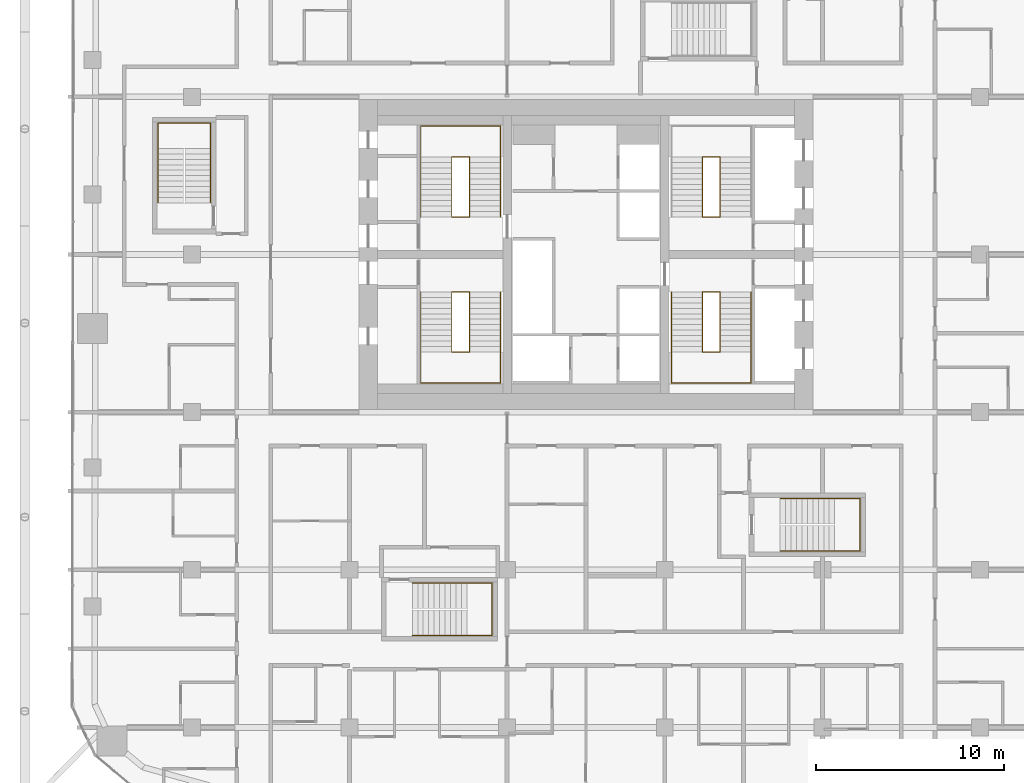
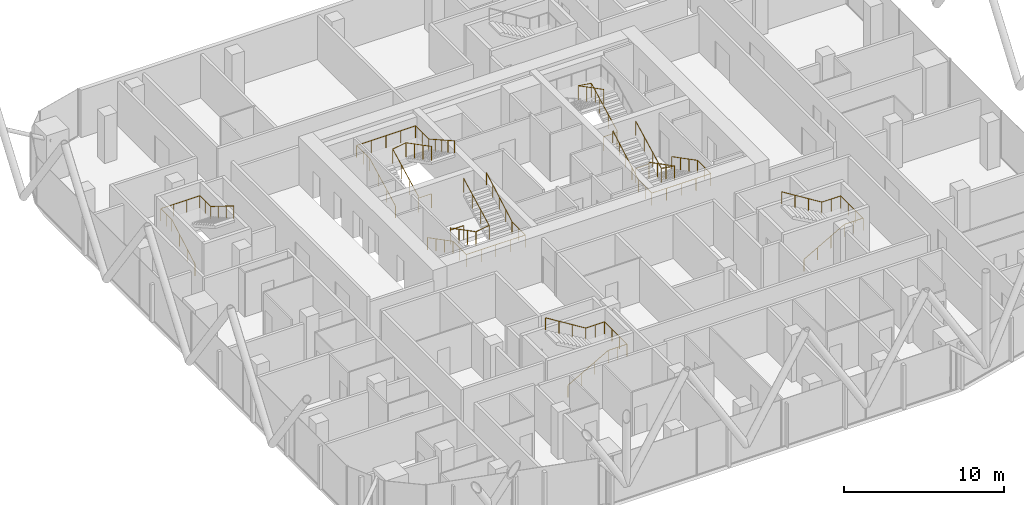
# One storey, part 32 of 33: 10 railings.
"""IFC4 building model written with IfcOpenShell, lengths in metres."""

from ifc_helpers import new_model, si_unit, direction, frame, origin, origin_2d, place, context, subcontext, project, spatial, circle, extrude, material, type_object, element, save


model = new_model("IFC4")

# Units and contexts
model_context = context("Model", 3, precision=1e-05, world=origin(), true_north=direction((0.0, 1.0)))
body_context = subcontext(model_context, "Body", "Model", "MODEL_VIEW")
ifc_project = project(units=[si_unit("LENGTHUNIT", "METRE"), si_unit("AREAUNIT", "SQUARE_METRE"), si_unit("VOLUMEUNIT", "CUBIC_METRE"), si_unit("PLANEANGLEUNIT", "RADIAN"), si_unit("MASSUNIT", "GRAM", prefix="KILO")], contexts=[model_context])

# Site, building, storey
site_placement = place(None, origin())
site = spatial("IfcSite", under=ifc_project, at=site_placement, CompositionType="ELEMENT")
building_placement = place(site_placement, origin())
building = spatial("IfcBuilding", under=site, at=building_placement, Name="Marenta Gate Hotel Tower", CompositionType="ELEMENT")
storey_placement = place(building_placement, frame((0.0, 0.0, 151.699951171875)))
storey = spatial("IfcBuildingStorey", under=building, at=storey_placement, Name="L35", CompositionType="ELEMENT", Elevation=151.699951171875)

# Railings
ifc_material_1 = material(Name="Stainless steel", Category="steel")
railing_type_1 = type_object("IfcRailingType", Name="Core stair handrail 950", PredefinedType="HANDRAIL", material=ifc_material_1)
railing_1_placement = place(storey_placement, frame((-8.800048828125, 6.39990234375, 0.150146484375)))
element("IfcRailing", 1, at=railing_1_placement, inside=storey, type_object=railing_type_1, Name="HR-950 L35-KR-ST1-1", PredefinedType="HANDRAIL", context=body_context, shape_type="SweptSolid", body=[
    extrude(circle(Radius=0.02392578125, at=origin_2d()), frame((0.0, 0.0, 0.92578125), z_axis=(0.0, -0.888225295554, 0.459408123936), x_axis=(1.0, 0.0, 0.0)), (0.0, 0.0, 1.0), 3.59130859375),
    extrude(circle(Radius=0.02392578125, at=origin_2d()), frame((0.0, -3.18994140625, 2.57568359375), z_axis=(0.0, -1.0, 0.0), x_axis=(1.0, 0.0, 0.0)), (0.0, 0.0, 1.0), 1.659912109375),
    extrude(circle(Radius=0.02392578125, at=origin_2d()), frame((0.0, -4.849853515625, 2.57568359375), z_axis=(1.0, 0.0, 0.0), x_axis=(0.0, 1.0, 0.0)), (0.0, 0.0, 1.0), 4.25),
    extrude(circle(Radius=0.02392578125, at=origin_2d()), frame((4.25, -4.849853515625, 2.57568359375), z_axis=(0.0, 1.0, 0.0), x_axis=(-1.0, 0.0, 0.0)), (0.0, 0.0, 1.0), 1.659912109375),
    extrude(circle(Radius=0.02392578125, at=origin_2d()), frame((4.25, -3.18994140625, 2.57568359375), z_axis=(0.0, 0.87090897868, 0.491444351738), x_axis=(-1.0, 0.0, 0.0)), (0.0, 0.0, 1.0), 3.662841796875),
    extrude(circle(Radius=0.02099609375, at=origin_2d()), origin(), (0.0, 0.0, 1.0), 0.90185546875),
    extrude(circle(Radius=0.02099609375, at=origin_2d()), frame((0.0, -1.063232421875, 0.550048828125)), (0.0, 0.0, 1.0), 0.90185546875),
    extrude(circle(Radius=0.02099609375, at=origin_2d()), frame((0.0, -2.126708984375, 1.099853515625)), (0.0, 0.0, 1.0), 0.90185546875),
    extrude(circle(Radius=0.02099609375, at=origin_2d()), frame((0.0, -3.18994140625, 1.64990234375)), (0.0, 0.0, 1.0), 0.90185546875),
    extrude(circle(Radius=0.02099609375, at=origin_2d()), frame((0.0, -4.02001953125, 1.64990234375)), (0.0, 0.0, 1.0), 0.90185546875),
    extrude(circle(Radius=0.02099609375, at=origin_2d()), frame((0.0, -4.849853515625, 1.64990234375)), (0.0, 0.0, 1.0), 0.90185546875),
    extrude(circle(Radius=0.02099609375, at=origin_2d()), frame((1.0625, -4.849853515625, 1.64990234375)), (0.0, 0.0, 1.0), 0.90185546875),
    extrude(circle(Radius=0.02099609375, at=origin_2d()), frame((2.125, -4.849853515625, 1.64990234375)), (0.0, 0.0, 1.0), 0.90185546875),
    extrude(circle(Radius=0.02099609375, at=origin_2d()), frame((3.1875, -4.849853515625, 1.64990234375)), (0.0, 0.0, 1.0), 0.90185546875),
    extrude(circle(Radius=0.02099609375, at=origin_2d()), frame((4.25, -4.849853515625, 1.64990234375)), (0.0, 0.0, 1.0), 0.90185546875),
    extrude(circle(Radius=0.02099609375, at=origin_2d()), frame((4.25, -4.02001953125, 1.64990234375)), (0.0, 0.0, 1.0), 0.90185546875),
    extrude(circle(Radius=0.02099609375, at=origin_2d()), frame((4.25, -3.18994140625, 1.64990234375)), (0.0, 0.0, 1.0), 0.90185546875),
    extrude(circle(Radius=0.02099609375, at=origin_2d()), frame((4.25, -2.392578125, 2.099853515625)), (0.0, 0.0, 1.0), 0.90185546875),
    extrude(circle(Radius=0.02099609375, at=origin_2d()), frame((4.25, -1.594970703125, 2.5498046875)), (0.0, 0.0, 1.0), 0.90185546875),
    extrude(circle(Radius=0.02099609375, at=origin_2d()), frame((4.25, -0.79736328125, 3.0)), (0.0, 0.0, 1.0), 0.90185546875),
    extrude(circle(Radius=0.02099609375, at=origin_2d()), frame((4.25, 0.0, 3.449951171875)), (0.0, 0.0, 1.0), 0.90185546875),
])
railing_2_placement = place(storey_placement, frame((-8.800048828125, 10.39990234375, 0.150146484375)))
element("IfcRailing", 2, at=railing_2_placement, inside=storey, type_object=railing_type_1, Name="HR-950 L35-KR-ST2-1", PredefinedType="HANDRAIL", context=body_context, shape_type="SweptSolid", body=[
    extrude(circle(Radius=0.02392578125, at=origin_2d()), frame((0.0, 0.0, 0.92578125), z_axis=(0.0, 0.888239641807, 0.459380385653), x_axis=(-1.0, 0.0, 0.0)), (0.0, 0.0, 1.0), 3.591552734375),
    extrude(circle(Radius=0.02392578125, at=origin_2d()), frame((0.0, 3.190185546875, 2.57568359375), z_axis=(0.0, 1.0, 0.0), x_axis=(-1.0, 0.0, 0.0)), (0.0, 0.0, 1.0), 1.659912109375),
    extrude(circle(Radius=0.02392578125, at=origin_2d()), frame((0.0, 4.85009765625, 2.57568359375), z_axis=(1.0, 0.0, 0.0), x_axis=(0.0, 1.0, 0.0)), (0.0, 0.0, 1.0), 4.25),
    extrude(circle(Radius=0.02392578125, at=origin_2d()), frame((4.25, 4.85009765625, 2.57568359375), z_axis=(0.0, -1.0, 0.0), x_axis=(1.0, 0.0, 0.0)), (0.0, 0.0, 1.0), 1.659912109375),
    extrude(circle(Radius=0.02392578125, at=origin_2d()), frame((4.25, 3.190185546875, 2.57568359375), z_axis=(0.0, -0.870925075533, 0.491415824742), x_axis=(1.0, 0.0, 0.0)), (0.0, 0.0, 1.0), 3.6630859375),
    extrude(circle(Radius=0.02099609375, at=origin_2d()), origin(), (0.0, 0.0, 1.0), 0.90185546875),
    extrude(circle(Radius=0.02099609375, at=origin_2d()), frame((0.0, 1.0634765625, 0.550048828125)), (0.0, 0.0, 1.0), 0.90185546875),
    extrude(circle(Radius=0.02099609375, at=origin_2d()), frame((0.0, 2.126708984375, 1.099853515625)), (0.0, 0.0, 1.0), 0.90185546875),
    extrude(circle(Radius=0.02099609375, at=origin_2d()), frame((0.0, 3.190185546875, 1.64990234375)), (0.0, 0.0, 1.0), 0.90185546875),
    extrude(circle(Radius=0.02099609375, at=origin_2d()), frame((0.0, 4.02001953125, 1.64990234375)), (0.0, 0.0, 1.0), 0.90185546875),
    extrude(circle(Radius=0.02099609375, at=origin_2d()), frame((0.0, 4.85009765625, 1.64990234375)), (0.0, 0.0, 1.0), 0.90185546875),
    extrude(circle(Radius=0.02099609375, at=origin_2d()), frame((1.0625, 4.85009765625, 1.64990234375)), (0.0, 0.0, 1.0), 0.90185546875),
    extrude(circle(Radius=0.02099609375, at=origin_2d()), frame((2.125, 4.85009765625, 1.64990234375)), (0.0, 0.0, 1.0), 0.90185546875),
    extrude(circle(Radius=0.02099609375, at=origin_2d()), frame((3.1875, 4.85009765625, 1.64990234375)), (0.0, 0.0, 1.0), 0.90185546875),
    extrude(circle(Radius=0.02099609375, at=origin_2d()), frame((4.25, 4.85009765625, 1.64990234375)), (0.0, 0.0, 1.0), 0.90185546875),
    extrude(circle(Radius=0.02099609375, at=origin_2d()), frame((4.25, 4.02001953125, 1.64990234375)), (0.0, 0.0, 1.0), 0.90185546875),
    extrude(circle(Radius=0.02099609375, at=origin_2d()), frame((4.25, 3.190185546875, 1.64990234375)), (0.0, 0.0, 1.0), 0.90185546875),
    extrude(circle(Radius=0.02099609375, at=origin_2d()), frame((4.25, 2.392578125, 2.099853515625)), (0.0, 0.0, 1.0), 0.90185546875),
    extrude(circle(Radius=0.02099609375, at=origin_2d()), frame((4.25, 1.59521484375, 2.5498046875)), (0.0, 0.0, 1.0), 0.90185546875),
    extrude(circle(Radius=0.02099609375, at=origin_2d()), frame((4.25, 0.797607421875, 3.0)), (0.0, 0.0, 1.0), 0.90185546875),
    extrude(circle(Radius=0.02099609375, at=origin_2d()), frame((4.25, 0.0, 3.449951171875)), (0.0, 0.0, 1.0), 0.90185546875),
])
railing_3_placement = place(storey_placement, frame((8.800048828125, 6.39990234375, 0.150146484375)))
element("IfcRailing", 3, at=railing_3_placement, inside=storey, type_object=railing_type_1, Name="HR-950 L35-KR-ST3-1", PredefinedType="HANDRAIL", context=body_context, shape_type="SweptSolid", body=[
    extrude(circle(Radius=0.02392578125, at=origin_2d()), frame((0.0, 0.0, 0.92578125), z_axis=(0.0, -0.888225295554, 0.459408123936), x_axis=(1.0, 0.0, 0.0)), (0.0, 0.0, 1.0), 3.59130859375),
    extrude(circle(Radius=0.02392578125, at=origin_2d()), frame((0.0, -3.18994140625, 2.57568359375), z_axis=(0.0, -1.0, 0.0), x_axis=(1.0, 0.0, 0.0)), (0.0, 0.0, 1.0), 1.659912109375),
    extrude(circle(Radius=0.02392578125, at=origin_2d()), frame((0.0, -4.849853515625, 2.57568359375), z_axis=(-1.0, 0.0, 0.0), x_axis=(0.0, -1.0, 0.0)), (0.0, 0.0, 1.0), 4.25),
    extrude(circle(Radius=0.02392578125, at=origin_2d()), frame((-4.25, -4.849853515625, 2.57568359375), z_axis=(0.0, 1.0, 0.0), x_axis=(-1.0, 0.0, 0.0)), (0.0, 0.0, 1.0), 1.659912109375),
    extrude(circle(Radius=0.02392578125, at=origin_2d()), frame((-4.25, -3.18994140625, 2.57568359375), z_axis=(0.0, 0.87090897868, 0.491444351738), x_axis=(-1.0, 0.0, 0.0)), (0.0, 0.0, 1.0), 3.662841796875),
    extrude(circle(Radius=0.02099609375, at=origin_2d()), origin(), (0.0, 0.0, 1.0), 0.90185546875),
    extrude(circle(Radius=0.02099609375, at=origin_2d()), frame((0.0, -1.063232421875, 0.550048828125)), (0.0, 0.0, 1.0), 0.90185546875),
    extrude(circle(Radius=0.02099609375, at=origin_2d()), frame((0.0, -2.126708984375, 1.099853515625)), (0.0, 0.0, 1.0), 0.90185546875),
    extrude(circle(Radius=0.02099609375, at=origin_2d()), frame((0.0, -3.18994140625, 1.64990234375)), (0.0, 0.0, 1.0), 0.90185546875),
    extrude(circle(Radius=0.02099609375, at=origin_2d()), frame((0.0, -4.02001953125, 1.64990234375)), (0.0, 0.0, 1.0), 0.90185546875),
    extrude(circle(Radius=0.02099609375, at=origin_2d()), frame((0.0, -4.849853515625, 1.64990234375)), (0.0, 0.0, 1.0), 0.90185546875),
    extrude(circle(Radius=0.02099609375, at=origin_2d()), frame((-1.0625, -4.849853515625, 1.64990234375)), (0.0, 0.0, 1.0), 0.90185546875),
    extrude(circle(Radius=0.02099609375, at=origin_2d()), frame((-2.125, -4.849853515625, 1.64990234375)), (0.0, 0.0, 1.0), 0.90185546875),
    extrude(circle(Radius=0.02099609375, at=origin_2d()), frame((-3.1875, -4.849853515625, 1.64990234375)), (0.0, 0.0, 1.0), 0.90185546875),
    extrude(circle(Radius=0.02099609375, at=origin_2d()), frame((-4.25, -4.849853515625, 1.64990234375)), (0.0, 0.0, 1.0), 0.90185546875),
    extrude(circle(Radius=0.02099609375, at=origin_2d()), frame((-4.25, -4.02001953125, 1.64990234375)), (0.0, 0.0, 1.0), 0.90185546875),
    extrude(circle(Radius=0.02099609375, at=origin_2d()), frame((-4.25, -3.18994140625, 1.64990234375)), (0.0, 0.0, 1.0), 0.90185546875),
    extrude(circle(Radius=0.02099609375, at=origin_2d()), frame((-4.25, -2.392578125, 2.099853515625)), (0.0, 0.0, 1.0), 0.90185546875),
    extrude(circle(Radius=0.02099609375, at=origin_2d()), frame((-4.25, -1.594970703125, 2.5498046875)), (0.0, 0.0, 1.0), 0.90185546875),
    extrude(circle(Radius=0.02099609375, at=origin_2d()), frame((-4.25, -0.79736328125, 3.0)), (0.0, 0.0, 1.0), 0.90185546875),
    extrude(circle(Radius=0.02099609375, at=origin_2d()), frame((-4.25, 0.0, 3.449951171875)), (0.0, 0.0, 1.0), 0.90185546875),
])
railing_4_placement = place(storey_placement, frame((-22.800048828125, 11.14990234375, 0.16357421875)))
element("IfcRailing", 4, at=railing_4_placement, inside=storey, type_object=railing_type_1, Name="HR-950 L35-RS-Z1-3-KR-1", PredefinedType="HANDRAIL", context=body_context, shape_type="SweptSolid", body=[
    extrude(circle(Radius=0.02392578125, at=origin_2d()), frame((0.0, 0.0, 0.92578125), z_axis=(0.0, 0.870914908162, 0.491433843708), x_axis=(-1.0, 0.0, 0.0)), (0.0, 0.0, 1.0), 3.330078125),
    extrude(circle(Radius=0.02392578125, at=origin_2d()), frame((0.0, 2.900146484375, 2.5625), z_axis=(0.0, 1.0, 0.0), x_axis=(-1.0, 0.0, 0.0)), (0.0, 0.0, 1.0), 1.349853515625),
    extrude(circle(Radius=0.02392578125, at=origin_2d()), frame((0.0, 4.25, 2.5625), z_axis=(1.0, 0.0, 0.0), x_axis=(0.0, 1.0, 0.0)), (0.0, 0.0, 1.0), 2.800048828125),
    extrude(circle(Radius=0.02392578125, at=origin_2d()), frame((2.800048828125, 4.25, 2.5625), z_axis=(0.0, -1.0, 0.0), x_axis=(1.0, 0.0, 0.0)), (0.0, 0.0, 1.0), 1.349853515625),
    extrude(circle(Radius=0.02392578125, at=origin_2d()), frame((2.800048828125, 2.900146484375, 2.5625), z_axis=(0.0, -0.849645691689, 0.527353959494), x_axis=(1.0, 0.0, 0.0)), (0.0, 0.0, 1.0), 3.413330078125),
    extrude(circle(Radius=0.02099609375, at=origin_2d()), origin(), (0.0, 0.0, 1.0), 0.90185546875),
    extrude(circle(Radius=0.02099609375, at=origin_2d()), frame((0.0, 0.966796875, 0.54541015625)), (0.0, 0.0, 1.0), 0.90185546875),
    extrude(circle(Radius=0.02099609375, at=origin_2d()), frame((0.0, 1.933349609375, 1.091064453125)), (0.0, 0.0, 1.0), 0.90185546875),
    extrude(circle(Radius=0.02099609375, at=origin_2d()), frame((0.0, 2.900146484375, 1.636474609375)), (0.0, 0.0, 1.0), 0.90185546875),
    extrude(circle(Radius=0.02099609375, at=origin_2d()), frame((0.0, 3.5751953125, 1.636474609375)), (0.0, 0.0, 1.0), 0.90185546875),
    extrude(circle(Radius=0.02099609375, at=origin_2d()), frame((0.0, 4.25, 1.636474609375)), (0.0, 0.0, 1.0), 0.90185546875),
    extrude(circle(Radius=0.02099609375, at=origin_2d()), frame((0.933349609375, 4.25, 1.636474609375)), (0.0, 0.0, 1.0), 0.90185546875),
    extrude(circle(Radius=0.02099609375, at=origin_2d()), frame((1.86669921875, 4.25, 1.636474609375)), (0.0, 0.0, 1.0), 0.90185546875),
    extrude(circle(Radius=0.02099609375, at=origin_2d()), frame((2.800048828125, 4.25, 1.636474609375)), (0.0, 0.0, 1.0), 0.90185546875),
    extrude(circle(Radius=0.02099609375, at=origin_2d()), frame((2.800048828125, 3.5751953125, 1.636474609375)), (0.0, 0.0, 1.0), 0.90185546875),
    extrude(circle(Radius=0.02099609375, at=origin_2d()), frame((2.800048828125, 2.900146484375, 1.636474609375)), (0.0, 0.0, 1.0), 0.90185546875),
    extrude(circle(Radius=0.02099609375, at=origin_2d()), frame((2.800048828125, 1.933349609375, 2.236572265625)), (0.0, 0.0, 1.0), 0.90185546875),
    extrude(circle(Radius=0.02099609375, at=origin_2d()), frame((2.800048828125, 0.966796875, 2.83642578125)), (0.0, 0.0, 1.0), 0.90185546875),
    extrude(circle(Radius=0.02099609375, at=origin_2d()), frame((2.800048828125, 0.0, 3.4365234375)), (0.0, 0.0, 1.0), 0.90185546875),
])
railing_5_placement = place(storey_placement, frame((-9.25, -11.89990234375, 0.16357421875)))
element("IfcRailing", 5, at=railing_5_placement, inside=storey, type_object=railing_type_1, Name="HR-950 L35-RS-Z2-1-KR-1", PredefinedType="HANDRAIL", context=body_context, shape_type="SweptSolid", body=[
    extrude(circle(Radius=0.02392578125, at=origin_2d()), frame((0.0, 0.0, 0.92578125), z_axis=(0.870897200241, 0.0, 0.491465224214), x_axis=(0.0, 1.0, 0.0)), (0.0, 0.0, 1.0), 3.329833984375),
    extrude(circle(Radius=0.02392578125, at=origin_2d()), frame((2.89990234375, 0.0, 2.5625), z_axis=(1.0, 0.0, 0.0), x_axis=(0.0, 1.0, 0.0)), (0.0, 0.0, 1.0), 1.35009765625),
    extrude(circle(Radius=0.02392578125, at=origin_2d()), frame((4.25, 0.0, 2.5625), z_axis=(0.0, 1.0, 0.0), x_axis=(-1.0, 0.0, 0.0)), (0.0, 0.0, 1.0), 2.7998046875),
    extrude(circle(Radius=0.02392578125, at=origin_2d()), frame((4.25, 2.7998046875, 2.5625), z_axis=(-1.0, 0.0, 0.0), x_axis=(0.0, -1.0, 0.0)), (0.0, 0.0, 1.0), 1.35009765625),
    extrude(circle(Radius=0.02392578125, at=origin_2d()), frame((2.89990234375, 2.7998046875, 2.5625), z_axis=(-0.849625798611, 0.0, 0.527386008853), x_axis=(0.0, -1.0, 0.0)), (0.0, 0.0, 1.0), 3.4130859375),
    extrude(circle(Radius=0.02099609375, at=origin_2d()), origin(), (0.0, 0.0, 1.0), 0.90185546875),
    extrude(circle(Radius=0.02099609375, at=origin_2d()), frame((0.966552734375, 0.0, 0.54541015625)), (0.0, 0.0, 1.0), 0.90185546875),
    extrude(circle(Radius=0.02099609375, at=origin_2d()), frame((1.933349609375, 0.0, 1.091064453125)), (0.0, 0.0, 1.0), 0.90185546875),
    extrude(circle(Radius=0.02099609375, at=origin_2d()), frame((2.89990234375, 0.0, 1.636474609375)), (0.0, 0.0, 1.0), 0.90185546875),
    extrude(circle(Radius=0.02099609375, at=origin_2d()), frame((3.574951171875, 0.0, 1.636474609375)), (0.0, 0.0, 1.0), 0.90185546875),
    extrude(circle(Radius=0.02099609375, at=origin_2d()), frame((4.25, 0.0, 1.636474609375)), (0.0, 0.0, 1.0), 0.90185546875),
    extrude(circle(Radius=0.02099609375, at=origin_2d()), frame((4.25, 0.933349609375, 1.636474609375)), (0.0, 0.0, 1.0), 0.90185546875),
    extrude(circle(Radius=0.02099609375, at=origin_2d()), frame((4.25, 1.866455078125, 1.636474609375)), (0.0, 0.0, 1.0), 0.90185546875),
    extrude(circle(Radius=0.02099609375, at=origin_2d()), frame((4.25, 2.7998046875, 1.636474609375)), (0.0, 0.0, 1.0), 0.90185546875),
    extrude(circle(Radius=0.02099609375, at=origin_2d()), frame((3.574951171875, 2.7998046875, 1.636474609375)), (0.0, 0.0, 1.0), 0.90185546875),
    extrude(circle(Radius=0.02099609375, at=origin_2d()), frame((2.89990234375, 2.7998046875, 1.636474609375)), (0.0, 0.0, 1.0), 0.90185546875),
    extrude(circle(Radius=0.02099609375, at=origin_2d()), frame((1.933349609375, 2.7998046875, 2.236572265625)), (0.0, 0.0, 1.0), 0.90185546875),
    extrude(circle(Radius=0.02099609375, at=origin_2d()), frame((0.966552734375, 2.7998046875, 2.83642578125)), (0.0, 0.0, 1.0), 0.90185546875),
    extrude(circle(Radius=0.02099609375, at=origin_2d()), frame((0.0, 2.7998046875, 3.4365234375)), (0.0, 0.0, 1.0), 0.90185546875),
])
railing_6_placement = place(storey_placement, frame((10.35009765625, -7.39990234375, 0.16357421875)))
element("IfcRailing", 6, at=railing_6_placement, inside=storey, type_object=railing_type_1, Name="HR-950 L35-RS-Z2-2-KR-1", PredefinedType="HANDRAIL", context=body_context, shape_type="SweptSolid", body=[
    extrude(circle(Radius=0.02392578125, at=origin_2d()), frame((0.0, 0.0, 0.92578125), z_axis=(0.870897200241, 0.0, 0.491465224214), x_axis=(0.0, 1.0, 0.0)), (0.0, 0.0, 1.0), 3.329833984375),
    extrude(circle(Radius=0.02392578125, at=origin_2d()), frame((2.89990234375, 0.0, 2.5625), z_axis=(1.0, 0.0, 0.0), x_axis=(0.0, 1.0, 0.0)), (0.0, 0.0, 1.0), 1.35009765625),
    extrude(circle(Radius=0.02392578125, at=origin_2d()), frame((4.25, 0.0, 2.5625), z_axis=(0.0, 1.0, 0.0), x_axis=(-1.0, 0.0, 0.0)), (0.0, 0.0, 1.0), 2.7998046875),
    extrude(circle(Radius=0.02392578125, at=origin_2d()), frame((4.25, 2.7998046875, 2.5625), z_axis=(-1.0, 0.0, 0.0), x_axis=(0.0, -1.0, 0.0)), (0.0, 0.0, 1.0), 1.35009765625),
    extrude(circle(Radius=0.02392578125, at=origin_2d()), frame((2.89990234375, 2.7998046875, 2.5625), z_axis=(-0.849625798611, 0.0, 0.527386008853), x_axis=(0.0, -1.0, 0.0)), (0.0, 0.0, 1.0), 3.4130859375),
    extrude(circle(Radius=0.02099609375, at=origin_2d()), origin(), (0.0, 0.0, 1.0), 0.90185546875),
    extrude(circle(Radius=0.02099609375, at=origin_2d()), frame((0.966552734375, 0.0, 0.54541015625)), (0.0, 0.0, 1.0), 0.90185546875),
    extrude(circle(Radius=0.02099609375, at=origin_2d()), frame((1.933349609375, 0.0, 1.091064453125)), (0.0, 0.0, 1.0), 0.90185546875),
    extrude(circle(Radius=0.02099609375, at=origin_2d()), frame((2.89990234375, 0.0, 1.636474609375)), (0.0, 0.0, 1.0), 0.90185546875),
    extrude(circle(Radius=0.02099609375, at=origin_2d()), frame((3.574951171875, 0.0, 1.636474609375)), (0.0, 0.0, 1.0), 0.90185546875),
    extrude(circle(Radius=0.02099609375, at=origin_2d()), frame((4.25, 0.0, 1.636474609375)), (0.0, 0.0, 1.0), 0.90185546875),
    extrude(circle(Radius=0.02099609375, at=origin_2d()), frame((4.25, 0.933349609375, 1.636474609375)), (0.0, 0.0, 1.0), 0.90185546875),
    extrude(circle(Radius=0.02099609375, at=origin_2d()), frame((4.25, 1.866455078125, 1.636474609375)), (0.0, 0.0, 1.0), 0.90185546875),
    extrude(circle(Radius=0.02099609375, at=origin_2d()), frame((4.25, 2.7998046875, 1.636474609375)), (0.0, 0.0, 1.0), 0.90185546875),
    extrude(circle(Radius=0.02099609375, at=origin_2d()), frame((3.574951171875, 2.7998046875, 1.636474609375)), (0.0, 0.0, 1.0), 0.90185546875),
    extrude(circle(Radius=0.02099609375, at=origin_2d()), frame((2.89990234375, 2.7998046875, 1.636474609375)), (0.0, 0.0, 1.0), 0.90185546875),
    extrude(circle(Radius=0.02099609375, at=origin_2d()), frame((1.933349609375, 2.7998046875, 2.236572265625)), (0.0, 0.0, 1.0), 0.90185546875),
    extrude(circle(Radius=0.02099609375, at=origin_2d()), frame((0.966552734375, 2.7998046875, 2.83642578125)), (0.0, 0.0, 1.0), 0.90185546875),
    extrude(circle(Radius=0.02099609375, at=origin_2d()), frame((0.0, 2.7998046875, 3.4365234375)), (0.0, 0.0, 1.0), 0.90185546875),
])
ifc_material_2 = material(Name="Stainless steel", Category="steel")
railing_type_2 = type_object("IfcRailingType", Name="Core stair well guard 1100", PredefinedType="GUARDRAIL", material=ifc_material_2)
railing_7_placement = place(storey_placement, frame((-6.199951171875, 6.39990234375, 0.0)))
element("IfcRailing", 7, at=railing_7_placement, inside=storey, type_object=railing_type_2, Name="GR-1100 L35-KR-ST1-2", PredefinedType="GUARDRAIL", context=body_context, shape_type="SweptSolid", body=[
    extrude(circle(Radius=0.02392578125, at=origin_2d()), frame((0.0, 0.0, 1.076171875), z_axis=(-1.0, 0.0, 0.0), x_axis=(0.0, -1.0, 0.0)), (0.0, 0.0, 1.0), 0.949951171875),
    extrude(circle(Radius=0.02392578125, at=origin_2d()), frame((-0.949951171875, 0.0, 1.076171875), z_axis=(0.0, 0.0, 1.0), x_axis=(1.0, 0.0, 0.0)), (0.0, 0.0, 1.0), 0.150146484375),
    extrude(circle(Radius=0.02392578125, at=origin_2d()), frame((-0.949951171875, 0.0, 1.22607421875), z_axis=(0.0, -0.888225295554, 0.459408123936), x_axis=(1.0, 0.0, 0.0)), (0.0, 0.0, 1.0), 3.59130859375),
    extrude(circle(Radius=0.02392578125, at=origin_2d()), frame((-0.949951171875, -3.18994140625, 2.8759765625), z_axis=(0.987777369502, 0.0, 0.15587131968), x_axis=(0.0, 1.0, 0.0)), (0.0, 0.0, 1.0), 0.961669921875),
    extrude(circle(Radius=0.02392578125, at=origin_2d()), frame((0.0, -3.18994140625, 3.02587890625), z_axis=(0.0, 0.888197555067, 0.459461753765), x_axis=(-1.0, 0.0, 0.0)), (0.0, 0.0, 1.0), 3.591552734375),
    extrude(circle(Radius=0.02099609375, at=origin_2d()), origin(), (0.0, 0.0, 1.0), 1.052001953125),
    extrude(circle(Radius=0.02099609375, at=origin_2d()), frame((-0.949951171875, 0.0, 0.0)), (0.0, 0.0, 1.0), 1.052001953125),
    extrude(circle(Radius=0.02099609375, at=origin_2d()), frame((-0.949951171875, 0.0, 0.150146484375)), (0.0, 0.0, 1.0), 1.052001953125),
    extrude(circle(Radius=0.02099609375, at=origin_2d()), frame((-0.949951171875, -1.063232421875, 0.7001953125)), (0.0, 0.0, 1.0), 1.052001953125),
    extrude(circle(Radius=0.02099609375, at=origin_2d()), frame((-0.949951171875, -2.126708984375, 1.25)), (0.0, 0.0, 1.0), 1.052001953125),
    extrude(circle(Radius=0.02099609375, at=origin_2d()), frame((-0.949951171875, -3.18994140625, 1.800048828125)), (0.0, 0.0, 1.0), 1.052001953125),
    extrude(circle(Radius=0.02099609375, at=origin_2d()), frame((0.0, -3.18994140625, 1.949951171875)), (0.0, 0.0, 1.0), 1.052001953125),
    extrude(circle(Radius=0.02099609375, at=origin_2d()), frame((0.0, -2.126708984375, 2.5)), (0.0, 0.0, 1.0), 1.052001953125),
    extrude(circle(Radius=0.02099609375, at=origin_2d()), frame((0.0, -1.063232421875, 3.050048828125)), (0.0, 0.0, 1.0), 1.052001953125),
    extrude(circle(Radius=0.02099609375, at=origin_2d()), frame((0.0, 0.0, 3.60009765625)), (0.0, 0.0, 1.0), 1.052001953125),
])
railing_8_placement = place(storey_placement, frame((-6.199951171875, 10.39990234375, 0.0)))
element("IfcRailing", 8, at=railing_8_placement, inside=storey, type_object=railing_type_2, Name="GR-1100 L35-KR-ST2-2", PredefinedType="GUARDRAIL", context=body_context, shape_type="SweptSolid", body=[
    extrude(circle(Radius=0.02392578125, at=origin_2d()), frame((0.0, 0.0, 1.076171875), z_axis=(-1.0, 0.0, 0.0), x_axis=(0.0, -1.0, 0.0)), (0.0, 0.0, 1.0), 0.949951171875),
    extrude(circle(Radius=0.02392578125, at=origin_2d()), frame((-0.949951171875, 0.0, 1.076171875), z_axis=(0.0, 0.0, 1.0), x_axis=(1.0, 0.0, 0.0)), (0.0, 0.0, 1.0), 0.150146484375),
    extrude(circle(Radius=0.02392578125, at=origin_2d()), frame((-0.949951171875, 0.0, 1.22607421875), z_axis=(0.0, 0.888239641807, 0.459380385653), x_axis=(-1.0, 0.0, 0.0)), (0.0, 0.0, 1.0), 3.591552734375),
    extrude(circle(Radius=0.02392578125, at=origin_2d()), frame((-0.949951171875, 3.190185546875, 2.8759765625), z_axis=(0.987777369502, 0.0, 0.15587131968), x_axis=(0.0, 1.0, 0.0)), (0.0, 0.0, 1.0), 0.961669921875),
    extrude(circle(Radius=0.02392578125, at=origin_2d()), frame((0.0, 3.190185546875, 3.02587890625), z_axis=(0.0, -0.888211904222, 0.459434013977), x_axis=(1.0, 0.0, 0.0)), (0.0, 0.0, 1.0), 3.591796875),
    extrude(circle(Radius=0.02099609375, at=origin_2d()), origin(), (0.0, 0.0, 1.0), 1.052001953125),
    extrude(circle(Radius=0.02099609375, at=origin_2d()), frame((-0.949951171875, 0.0, 0.0)), (0.0, 0.0, 1.0), 1.052001953125),
    extrude(circle(Radius=0.02099609375, at=origin_2d()), frame((-0.949951171875, 0.0, 0.150146484375)), (0.0, 0.0, 1.0), 1.052001953125),
    extrude(circle(Radius=0.02099609375, at=origin_2d()), frame((-0.949951171875, 1.0634765625, 0.7001953125)), (0.0, 0.0, 1.0), 1.052001953125),
    extrude(circle(Radius=0.02099609375, at=origin_2d()), frame((-0.949951171875, 2.126708984375, 1.25)), (0.0, 0.0, 1.0), 1.052001953125),
    extrude(circle(Radius=0.02099609375, at=origin_2d()), frame((-0.949951171875, 3.190185546875, 1.800048828125)), (0.0, 0.0, 1.0), 1.052001953125),
    extrude(circle(Radius=0.02099609375, at=origin_2d()), frame((0.0, 3.190185546875, 1.949951171875)), (0.0, 0.0, 1.0), 1.052001953125),
    extrude(circle(Radius=0.02099609375, at=origin_2d()), frame((0.0, 2.126708984375, 2.5)), (0.0, 0.0, 1.0), 1.052001953125),
    extrude(circle(Radius=0.02099609375, at=origin_2d()), frame((0.0, 1.0634765625, 3.050048828125)), (0.0, 0.0, 1.0), 1.052001953125),
    extrude(circle(Radius=0.02099609375, at=origin_2d()), frame((0.0, 0.0, 3.60009765625)), (0.0, 0.0, 1.0), 1.052001953125),
])
railing_9_placement = place(storey_placement, frame((6.199951171875, 6.39990234375, 0.0)))
element("IfcRailing", 9, at=railing_9_placement, inside=storey, type_object=railing_type_2, Name="GR-1100 L35-KR-ST3-2", PredefinedType="GUARDRAIL", context=body_context, shape_type="SweptSolid", body=[
    extrude(circle(Radius=0.02392578125, at=origin_2d()), frame((0.0, 0.0, 1.076171875), z_axis=(1.0, 0.0, 0.0), x_axis=(0.0, 1.0, 0.0)), (0.0, 0.0, 1.0), 0.949951171875),
    extrude(circle(Radius=0.02392578125, at=origin_2d()), frame((0.949951171875, 0.0, 1.076171875), z_axis=(0.0, 0.0, 1.0), x_axis=(1.0, 0.0, 0.0)), (0.0, 0.0, 1.0), 0.150146484375),
    extrude(circle(Radius=0.02392578125, at=origin_2d()), frame((0.949951171875, 0.0, 1.22607421875), z_axis=(0.0, -0.888225295554, 0.459408123936), x_axis=(1.0, 0.0, 0.0)), (0.0, 0.0, 1.0), 3.59130859375),
    extrude(circle(Radius=0.02392578125, at=origin_2d()), frame((0.949951171875, -3.18994140625, 2.8759765625), z_axis=(-0.987777369502, 0.0, 0.15587131968), x_axis=(0.0, -1.0, 0.0)), (0.0, 0.0, 1.0), 0.961669921875),
    extrude(circle(Radius=0.02392578125, at=origin_2d()), frame((0.0, -3.18994140625, 3.02587890625), z_axis=(0.0, 0.888197555067, 0.459461753765), x_axis=(-1.0, 0.0, 0.0)), (0.0, 0.0, 1.0), 3.591552734375),
    extrude(circle(Radius=0.02099609375, at=origin_2d()), origin(), (0.0, 0.0, 1.0), 1.052001953125),
    extrude(circle(Radius=0.02099609375, at=origin_2d()), frame((0.949951171875, 0.0, 0.0)), (0.0, 0.0, 1.0), 1.052001953125),
    extrude(circle(Radius=0.02099609375, at=origin_2d()), frame((0.949951171875, 0.0, 0.150146484375)), (0.0, 0.0, 1.0), 1.052001953125),
    extrude(circle(Radius=0.02099609375, at=origin_2d()), frame((0.949951171875, -1.063232421875, 0.7001953125)), (0.0, 0.0, 1.0), 1.052001953125),
    extrude(circle(Radius=0.02099609375, at=origin_2d()), frame((0.949951171875, -2.126708984375, 1.25)), (0.0, 0.0, 1.0), 1.052001953125),
    extrude(circle(Radius=0.02099609375, at=origin_2d()), frame((0.949951171875, -3.18994140625, 1.800048828125)), (0.0, 0.0, 1.0), 1.052001953125),
    extrude(circle(Radius=0.02099609375, at=origin_2d()), frame((0.0, -3.18994140625, 1.949951171875)), (0.0, 0.0, 1.0), 1.052001953125),
    extrude(circle(Radius=0.02099609375, at=origin_2d()), frame((0.0, -2.126708984375, 2.5)), (0.0, 0.0, 1.0), 1.052001953125),
    extrude(circle(Radius=0.02099609375, at=origin_2d()), frame((0.0, -1.063232421875, 3.050048828125)), (0.0, 0.0, 1.0), 1.052001953125),
    extrude(circle(Radius=0.02099609375, at=origin_2d()), frame((0.0, 0.0, 3.60009765625)), (0.0, 0.0, 1.0), 1.052001953125),
])
railing_10_placement = place(storey_placement, frame((6.199951171875, 10.39990234375, 0.0)))
element("IfcRailing", 10, at=railing_10_placement, inside=storey, type_object=railing_type_2, Name="GR-1100 L35-KR-ST4-2", PredefinedType="GUARDRAIL", context=body_context, shape_type="SweptSolid", body=[
    extrude(circle(Radius=0.02392578125, at=origin_2d()), frame((0.0, 0.0, 1.076171875), z_axis=(1.0, 0.0, 0.0), x_axis=(0.0, 1.0, 0.0)), (0.0, 0.0, 1.0), 0.949951171875),
    extrude(circle(Radius=0.02392578125, at=origin_2d()), frame((0.949951171875, 0.0, 1.076171875), z_axis=(0.0, 0.0, 1.0), x_axis=(1.0, 0.0, 0.0)), (0.0, 0.0, 1.0), 0.150146484375),
    extrude(circle(Radius=0.02392578125, at=origin_2d()), frame((0.949951171875, 0.0, 1.22607421875), z_axis=(0.0, 0.888239641807, 0.459380385653), x_axis=(-1.0, 0.0, 0.0)), (0.0, 0.0, 1.0), 3.591552734375),
    extrude(circle(Radius=0.02392578125, at=origin_2d()), frame((0.949951171875, 3.190185546875, 2.8759765625), z_axis=(-0.987777369502, 0.0, 0.15587131968), x_axis=(0.0, -1.0, 0.0)), (0.0, 0.0, 1.0), 0.961669921875),
    extrude(circle(Radius=0.02392578125, at=origin_2d()), frame((0.0, 3.190185546875, 3.02587890625), z_axis=(0.0, -0.888211904222, 0.459434013977), x_axis=(1.0, 0.0, 0.0)), (0.0, 0.0, 1.0), 3.591796875),
    extrude(circle(Radius=0.02099609375, at=origin_2d()), origin(), (0.0, 0.0, 1.0), 1.052001953125),
    extrude(circle(Radius=0.02099609375, at=origin_2d()), frame((0.949951171875, 0.0, 0.0)), (0.0, 0.0, 1.0), 1.052001953125),
    extrude(circle(Radius=0.02099609375, at=origin_2d()), frame((0.949951171875, 0.0, 0.150146484375)), (0.0, 0.0, 1.0), 1.052001953125),
    extrude(circle(Radius=0.02099609375, at=origin_2d()), frame((0.949951171875, 1.0634765625, 0.7001953125)), (0.0, 0.0, 1.0), 1.052001953125),
    extrude(circle(Radius=0.02099609375, at=origin_2d()), frame((0.949951171875, 2.126708984375, 1.25)), (0.0, 0.0, 1.0), 1.052001953125),
    extrude(circle(Radius=0.02099609375, at=origin_2d()), frame((0.949951171875, 3.190185546875, 1.800048828125)), (0.0, 0.0, 1.0), 1.052001953125),
    extrude(circle(Radius=0.02099609375, at=origin_2d()), frame((0.0, 3.190185546875, 1.949951171875)), (0.0, 0.0, 1.0), 1.052001953125),
    extrude(circle(Radius=0.02099609375, at=origin_2d()), frame((0.0, 2.126708984375, 2.5)), (0.0, 0.0, 1.0), 1.052001953125),
    extrude(circle(Radius=0.02099609375, at=origin_2d()), frame((0.0, 1.0634765625, 3.050048828125)), (0.0, 0.0, 1.0), 1.052001953125),
    extrude(circle(Radius=0.02099609375, at=origin_2d()), frame((0.0, 0.0, 3.60009765625)), (0.0, 0.0, 1.0), 1.052001953125),
])

save(model, "model.ifc")
